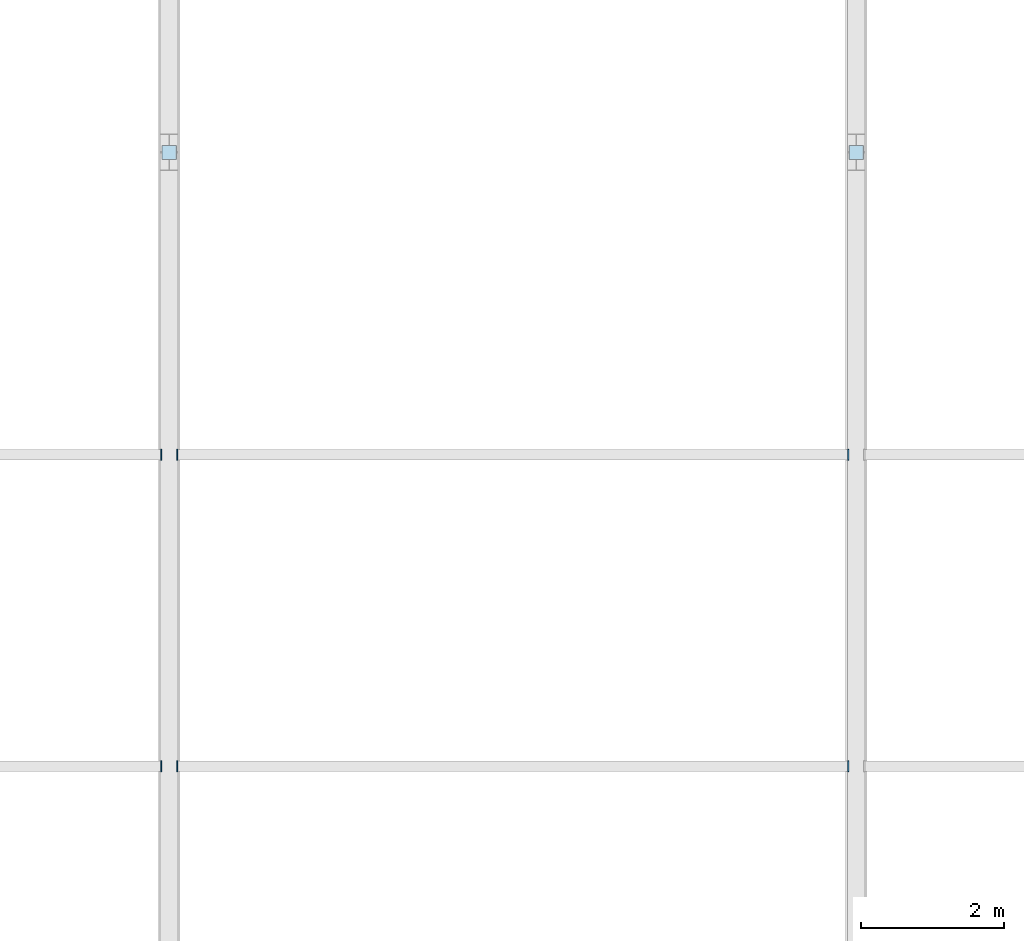
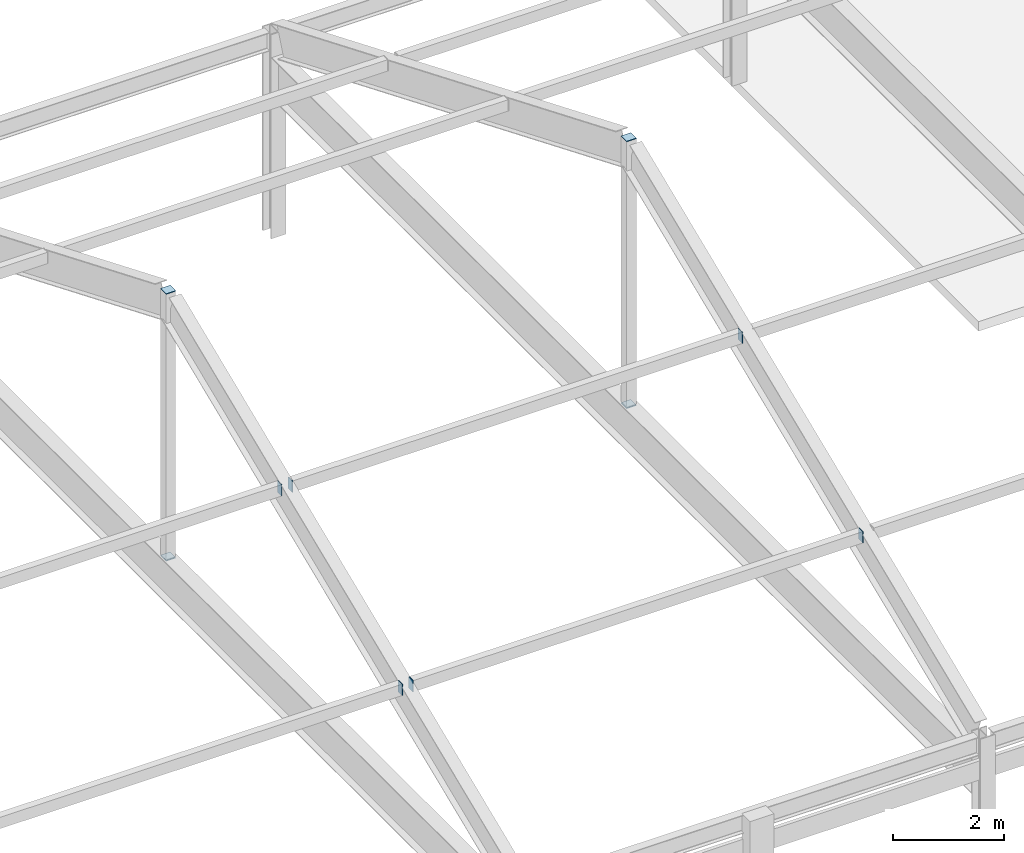
# One storey, part 59 of 88: 10 plates.
"""IFC4 building model written with IfcOpenShell, lengths in metres."""

from ifc_helpers import new_model, si_unit, direction, frame, origin, origin_2d, place, context, subcontext, project, spatial, rectangle, extrude, material, layer, layer_set, type_object, element, save


model = new_model("IFC4")

# Units and contexts
model_context = context("Model", 3, precision=1e-05, world=origin(), true_north=direction((0.0, 1.0)))
body_context = subcontext(model_context, "Body", "Model", "MODEL_VIEW")
ifc_project = project(units=[si_unit("LENGTHUNIT", "METRE"), si_unit("AREAUNIT", "SQUARE_METRE"), si_unit("VOLUMEUNIT", "CUBIC_METRE"), si_unit("PLANEANGLEUNIT", "RADIAN"), si_unit("MASSUNIT", "GRAM", prefix="KILO")], contexts=[model_context])

# Site, building, storey
site_placement = place(None, origin())
site = spatial("IfcSite", under=ifc_project, at=site_placement, CompositionType="ELEMENT")
building_placement = place(site_placement, origin())
building = spatial("IfcBuilding", under=site, at=building_placement, Name="Sarnbrook Museum", CompositionType="ELEMENT")
storey_placement = place(building_placement, frame((0.0, 0.0, 10.10009765625)))
storey = spatial("IfcBuildingStorey", under=building, at=storey_placement, Name="L02", CompositionType="ELEMENT", Elevation=10.10009765625)

# Plates
ifc_material = material(Name="Structural Steel Grade 350L0 (AS/NZS 3678, fy = 340 MPa for 20 < t <= 40 mm)", Category="steel")
ifc_layer_1 = layer(ifc_material, 0.01611328125)
ifc_layer_set_1 = layer_set([ifc_layer_1], Name="Structural Steel Grade 350L0 (AS/NZS 3678, fy = 340 MPa for 20 < t <= 40 mm)")
plate_type_1 = type_object("IfcPlateType", Name="EndCapPlate_CAP200", PredefinedType="USERDEFINED", material=ifc_layer_set_1)
for number, where, z_axis, x_axis, name in (
    (1, (61.60009765625, 17.60009765625, 3.9638671875), (0.0, 0.0, 1.0), (1.0, 0.0, 0.0), "Hollow End Cap Plate AUDTR:61.6:KP-1"),
    (2, (61.60009765625, 17.60009765625, 9.841796875), (0.0, 0.0, 1.0), (1.0, 0.0, 0.0), "Hollow End Cap Plate AUDTR:61.6:KP-2"),
    (3, (71.199951171875, 17.60009765625, 3.9638671875), (0.0, 0.0, 1.0), (1.0, 0.0, 0.0), "Hollow End Cap Plate AUDTR:71.2:KP-1"),
    (4, (71.199951171875, 17.60009765625, 9.841796875), (0.0, 0.0, 1.0), (1.0, 0.0, 0.0), "Hollow End Cap Plate AUDTR:71.2:KP-2"),
):
    element("IfcPlate", number, at=place(storey_placement, frame(where, z_axis=z_axis, x_axis=x_axis)), inside=storey, type_object=plate_type_1, Name=name, ObjectType="END CAP PLATE", PredefinedType="USERDEFINED", context=body_context, shape_type="SweptSolid", body=[
        extrude(rectangle(XDim=0.199951171875, YDim=0.199951171875, at=origin_2d()), origin(), (0.0, 0.0, 1.0), 0.01611328125),
    ])
ifc_layer_2 = layer(ifc_material, 0.01611328125)
ifc_layer_set_2 = layer_set([ifc_layer_2], Name="Structural Steel Grade 350L0 (AS/NZS 3678, fy = 340 MPa for 20 < t <= 40 mm)")
plate_type_2 = type_object("IfcPlateType", Name="EndCapPlate_CAP250x150", PredefinedType="USERDEFINED", material=ifc_layer_set_2)
for number, where, z_axis, x_axis, name in (
    (5, (61.47998046875, 9.02392578125, 6.32177734375), (1.0, 0.0, 0.0), (0.0, 1.0, 0.0), "Hollow End Cap Plate AUDPR:S:0.33:2-2"),
    (6, (61.703857421875, 9.02392578125, 6.32177734375), (1.0, 0.0, 0.0), (0.0, 1.0, 0.0), "Hollow End Cap Plate AUDPR:S:0.33:3-1"),
    (7, (71.079833984375, 9.02392578125, 6.32177734375), (1.0, 0.0, 0.0), (0.0, 1.0, 0.0), "Hollow End Cap Plate AUDPR:S:0.33:3-2"),
    (8, (61.47998046875, 13.3759765625, 8.080078125), (1.0, 0.0, 0.0), (0.0, 1.0, 0.0), "Hollow End Cap Plate AUDPR:S:0.67:2-2"),
    (9, (61.703857421875, 13.3759765625, 8.080078125), (1.0, 0.0, 0.0), (0.0, 1.0, 0.0), "Hollow End Cap Plate AUDPR:S:0.67:3-1"),
    (10, (71.079833984375, 13.3759765625, 8.080078125), (1.0, 0.0, 0.0), (0.0, 1.0, 0.0), "Hollow End Cap Plate AUDPR:S:0.67:3-2"),
):
    element("IfcPlate", number, at=place(storey_placement, frame(where, z_axis=z_axis, x_axis=x_axis)), inside=storey, type_object=plate_type_2, Name=name, ObjectType="END CAP PLATE", PredefinedType="USERDEFINED", context=body_context, shape_type="SweptSolid", body=[
        extrude(rectangle(XDim=0.14990234375, YDim=0.25, at=origin_2d()), origin(), (0.0, 0.0, 1.0), 0.01611328125),
    ])

save(model, "model.ifc")
